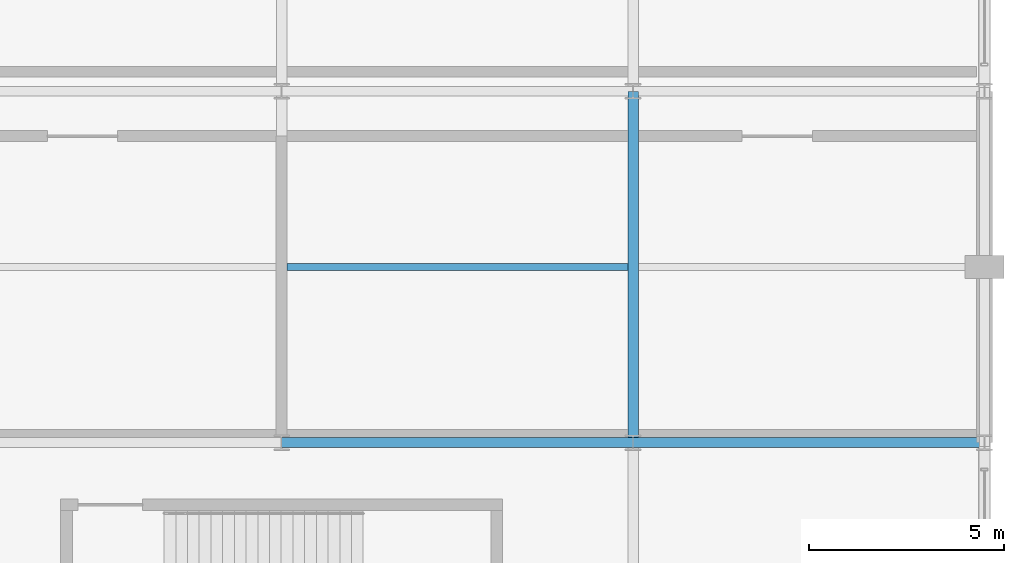
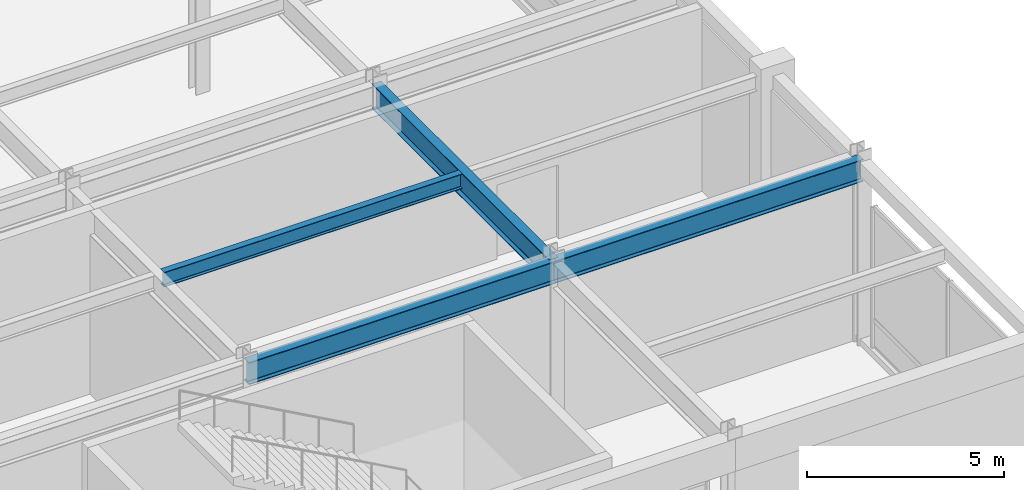
# One storey, part 40 of 105: 4 beams.
"""IFC4 building model written with IfcOpenShell, lengths in metres."""

from ifc_helpers import new_model, si_unit, direction, frame, origin, origin_2d, place, context, subcontext, project, spatial, i_section, extrude, material, material_profile, profile_set, type_object, element, save


model = new_model("IFC4")

# Units and contexts
model_context = context("Model", 3, precision=1e-05, world=origin(), true_north=direction((0.0, 1.0)))
body_context = subcontext(model_context, "Body", "Model", "MODEL_VIEW")
ifc_project = project(units=[si_unit("LENGTHUNIT", "METRE"), si_unit("AREAUNIT", "SQUARE_METRE"), si_unit("VOLUMEUNIT", "CUBIC_METRE"), si_unit("PLANEANGLEUNIT", "RADIAN"), si_unit("MASSUNIT", "GRAM", prefix="KILO")], contexts=[model_context])

# Site, building, storey
site_placement = place(None, origin())
site = spatial("IfcSite", under=ifc_project, at=site_placement, CompositionType="ELEMENT")
building_placement = place(site_placement, origin())
building = spatial("IfcBuilding", under=site, at=building_placement, Name="Kaldorvane Square Convention Centre", CompositionType="ELEMENT")
storey_placement = place(building_placement, frame((0.0, 0.0, 6.0)))
storey = spatial("IfcBuildingStorey", under=building, at=storey_placement, Name="L01", CompositionType="ELEMENT", Elevation=6.0)

# Beams
ifc_material = material(Name="Steel ASTM A992 Gr. 50", Category="steel")
ifc_material_profile_1 = material_profile(ifc_material, i_section(OverallWidth=0.25439453125, OverallDepth=0.6880950927734375, WebThickness=0.0131072998046875, FlangeThickness=0.0211029052734375, FilletRadius=0.01519775390625, at=origin_2d()), Name="W27X102")
ifc_profile_set_1 = profile_set([ifc_material_profile_1], Name="Steel ASTM A992 Gr. 50")
beam_type_1 = type_object("IfcBeamType", Name="BM-GR-W27X102", PredefinedType="BEAM", material=ifc_profile_set_1)
for number, where, z_axis, x_axis, name in (
    (1, (156.0, 9.0, 5.332000732421875), (1.0, 0.0, 0.0), (0.0, 1.0, 0.0), "Primary Girder (L01)"),
    (2, (165.0, 9.0, 5.332000732421875), (1.0, 0.0, 0.0), (0.0, 1.0, 0.0), "Primary Girder (L01)"),
):
    element("IfcBeam", number, at=place(storey_placement, frame(where, z_axis=z_axis, x_axis=x_axis)), inside=storey, type_object=beam_type_1, Name=name, PredefinedType="BEAM", context=body_context, shape_type="SweptSolid", body=[
        extrude(i_section(OverallWidth=0.25439453125, OverallDepth=0.6880950927734375, WebThickness=0.0131072998046875, FlangeThickness=0.0211029052734375, FilletRadius=0.01519775390625, at=origin_2d()), origin(), (0.0, 0.0, 1.0), 9.0),
    ])
ifc_material_profile_2 = material_profile(ifc_material, i_section(OverallWidth=0.2666015625, OverallDepth=0.762298583984375, WebThickness=0.014404296875, FlangeThickness=0.0216064453125, FilletRadius=0.0164947509765625, at=origin_2d()), Name="W30X116")
ifc_profile_set_2 = profile_set([ifc_material_profile_2], Name="Steel ASTM A992 Gr. 50")
beam_type_2 = type_object("IfcBeamType", Name="BM-GR-W30X116", PredefinedType="BEAM", material=ifc_profile_set_2)
beam_1_placement = place(storey_placement, frame((165.0, 9.0, 5.2949066162109375), z_axis=(0.0, 1.0, 0.0), x_axis=(-1.0, 0.0, 0.0)))
element("IfcBeam", 3, at=beam_1_placement, inside=storey, type_object=beam_type_2, Name="Transverse Girder (L01)", PredefinedType="BEAM", context=body_context, shape_type="SweptSolid", body=[
    extrude(i_section(OverallWidth=0.2666015625, OverallDepth=0.762298583984375, WebThickness=0.014404296875, FlangeThickness=0.0216064453125, FilletRadius=0.0164947509765625, at=origin_2d()), origin(), (0.0, 0.0, 1.0), 9.0),
])
ifc_material_profile_3 = material_profile(ifc_material, i_section(OverallWidth=0.1912994384765625, OverallDepth=0.4600067138671875, WebThickness=0.0099029541015625, FlangeThickness=0.0160064697265625, FilletRadius=0.01019287109375, at=origin_2d()), Name="W18X55")
ifc_profile_set_3 = profile_set([ifc_material_profile_3], Name="Steel ASTM A992 Gr. 50")
beam_type_3 = type_object("IfcBeamType", Name="BM-JS-W18X55", PredefinedType="JOIST", material=ifc_profile_set_3)
beam_2_placement = place(storey_placement, frame((156.13330078125, 13.5, 5.4459991455078125), z_axis=(1.0, 0.0, 0.0), x_axis=(0.0, 1.0, 0.0)))
element("IfcBeam", 4, at=beam_2_placement, inside=storey, type_object=beam_type_3, Name="Secondary Floor Joist (L01)", PredefinedType="JOIST", context=body_context, shape_type="SweptSolid", body=[
    extrude(i_section(OverallWidth=0.1912994384765625, OverallDepth=0.4600067138671875, WebThickness=0.0099029541015625, FlangeThickness=0.0160064697265625, FilletRadius=0.01019287109375, at=origin_2d()), origin(), (0.0, 0.0, 1.0), 8.7333984375),
])

save(model, "model.ifc")
